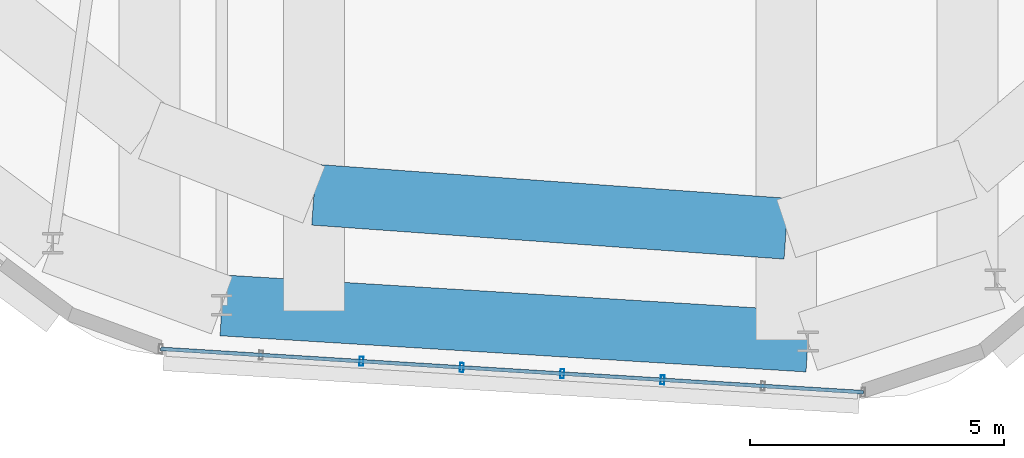
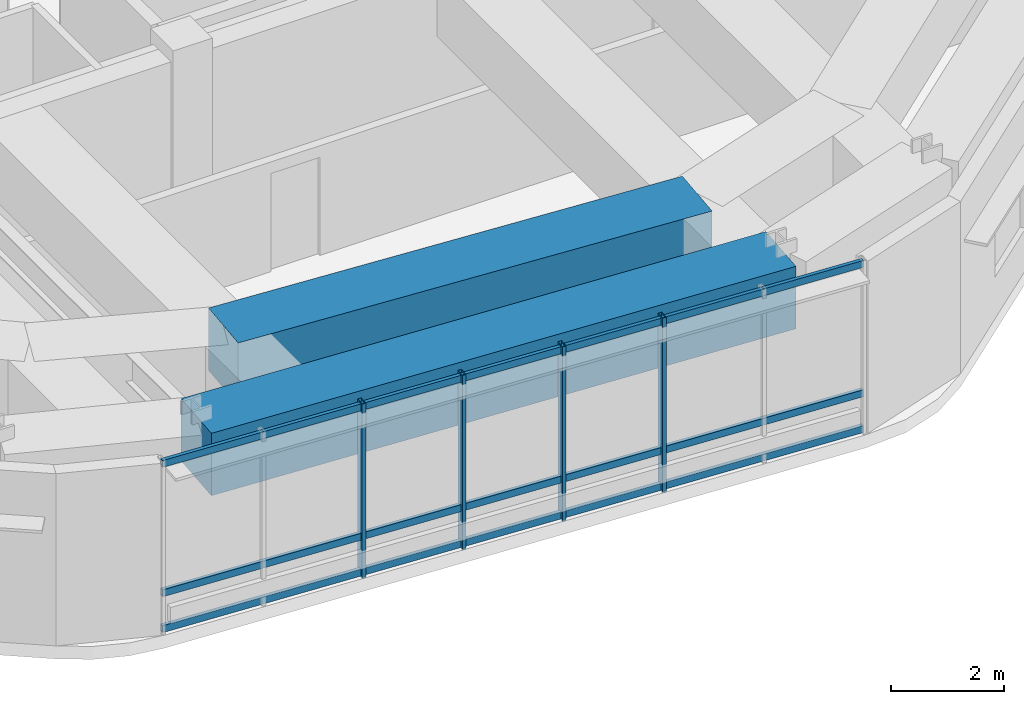
# One storey, part 4 of 17: 7 members, 2 beams, 1 element without a shape of its own.
"""IFC4 building model written with IfcOpenShell, lengths in metres."""

from ifc_helpers import new_model, si_unit, direction, frame, origin, origin_2d, place, context, subcontext, project, spatial, rectangle, hollow_rectangle, extrude, material, material_profile, profile_set, type_object, element, aggregate, save


model = new_model("IFC4")

# Units and contexts
model_context = context("Model", 3, precision=1e-05, world=origin(), true_north=direction((0.0, 1.0)))
body_context = subcontext(model_context, "Body", "Model", "MODEL_VIEW")
ifc_project = project(units=[si_unit("LENGTHUNIT", "METRE"), si_unit("AREAUNIT", "SQUARE_METRE"), si_unit("VOLUMEUNIT", "CUBIC_METRE"), si_unit("PLANEANGLEUNIT", "RADIAN"), si_unit("MASSUNIT", "GRAM", prefix="KILO")], contexts=[model_context])

# Site, building, storey
site_placement = place(None, origin())
site = spatial("IfcSite", under=ifc_project, at=site_placement, CompositionType="ELEMENT")
building_placement = place(site_placement, origin())
building = spatial("IfcBuilding", under=site, at=building_placement, Name="Zulverin Broadcast Headquarters", CompositionType="ELEMENT")
storey_placement = place(building_placement, frame((0.0, 0.0, 317.39990234375)))
storey = spatial("IfcBuildingStorey", under=building, at=storey_placement, Name="C2", CompositionType="ELEMENT", Elevation=317.39990234375)

# Beams
ifc_material_1 = material(Name="Concrete C50/60", Category="concrete")
ifc_material_profile_1 = material_profile(ifc_material_1, rectangle(XDim=1.199951171875, YDim=1.35009765625, at=origin_2d()), Name="Concrete C50/60", Category="concrete")
ifc_profile_set_1 = profile_set([ifc_material_profile_1], Name="Concrete C50/60")
beam_type = type_object("IfcBeamType", Name="BM-TG-CRN-1350", PredefinedType="USERDEFINED", material=ifc_profile_set_1)
beam_1_placement = place(storey_placement, frame((32.971923828125, 7.314697265625, 3.045166015625), z_axis=(0.998102057363, -0.06158151579, 0.0), x_axis=(0.06158151579, 0.998102057363, 0.0)))
element("IfcBeam", 1, at=beam_1_placement, inside=storey, type_object=beam_type, Name="C2 Perimeter Transfer Ring Girder SP-01", ObjectType="TRANSFER GIRDER", PredefinedType="USERDEFINED", context=body_context, shape_type="SweptSolid", body=[
    extrude(rectangle(XDim=1.199951171875, YDim=1.35009765625, at=origin_2d()), origin(), (0.0, 0.0, 1.0), 11.560546875),
])
beam_2_placement = place(storey_placement, frame((34.783447265625, 9.493408203125, 3.045166015625), z_axis=(0.997419339548, -0.071795968525, 0.0), x_axis=(0.071795968525, 0.997419339548, 0.0)))
element("IfcBeam", 2, at=beam_2_placement, inside=storey, type_object=beam_type, Name="C3 Step Transfer Ring Girder TGR-01", ObjectType="TRANSFER GIRDER", PredefinedType="USERDEFINED", context=body_context, shape_type="SweptSolid", body=[
    extrude(rectangle(XDim=1.199951171875, YDim=1.35009765625, at=origin_2d()), origin(), (0.0, 0.0, 1.0), 9.32421875),
])

# Curtain wall, members
ifc_material_2 = material(Name="Crown damper-hall structural glass curtain wall", Category="glass")
curtain_wall_type = type_object("IfcCurtainWallType", Name="CW-CRN", PredefinedType="USERDEFINED", material=ifc_material_2)
curtain_wall_placement = place(storey_placement, origin())
curtain_wall = element("IfcCurtainWall", 3, at=curtain_wall_placement, inside=storey, type_object=curtain_wall_type, Name="C2 Unitised Curtain Wall CW-C2-E1", ObjectType="UNITISED CURTAIN WALL", PredefinedType="USERDEFINED")
ifc_material_3 = material(Name="Anodized pale-metal aluminium alloy 6063-T6", Category="aluminium")
ifc_material_profile_2 = material_profile(ifc_material_3, hollow_rectangle(XDim=0.074951171875, YDim=0.179931640625, WallThickness=0.0048828125, at=origin_2d()), Name="Anodized pale-metal aluminium alloy 6063-T6", Category="aluminium")
ifc_profile_set_2 = profile_set([ifc_material_profile_2], Name="Anodized pale-metal aluminium alloy 6063-T6")
member_type_1 = type_object("IfcMemberType", Name="CW-MUL-180", PredefinedType="MULLION", material=ifc_profile_set_2)
member_1_placement = place(storey_placement, frame((35.719482421875, 6.21337890625, -0.02978515625), z_axis=(0.0, 0.0, 1.0), x_axis=(0.998102696661, -0.061571153301, 0.0)))
member_1 = element("IfcMember", 4, at=member_1_placement, type_object=member_type_1, Name="CW-C2-E1 Mullion 02", PredefinedType="MULLION", context=body_context, shape_type="SweptSolid", body=[
    extrude(hollow_rectangle(XDim=0.074951171875, YDim=0.179931640625, WallThickness=0.0048828125, at=origin_2d()), origin(), (0.0, 0.0, 1.0), 3.77978515625),
])
member_2_placement = place(storey_placement, frame((37.69580078125, 6.09130859375, -0.02978515625), z_axis=(0.0, 0.0, 1.0), x_axis=(0.998102696661, -0.061571153301, 0.0)))
member_2 = element("IfcMember", 5, at=member_2_placement, type_object=member_type_1, Name="CW-C2-E1 Mullion 03", PredefinedType="MULLION", context=body_context, shape_type="SweptSolid", body=[
    extrude(hollow_rectangle(XDim=0.074951171875, YDim=0.179931640625, WallThickness=0.0048828125, at=origin_2d()), origin(), (0.0, 0.0, 1.0), 3.77978515625),
])
member_3_placement = place(storey_placement, frame((39.672119140625, 5.969482421875, -0.02978515625), z_axis=(0.0, 0.0, 1.0), x_axis=(0.998102696661, -0.061571153301, 0.0)))
member_3 = element("IfcMember", 6, at=member_3_placement, type_object=member_type_1, Name="CW-C2-E1 Mullion 04", PredefinedType="MULLION", context=body_context, shape_type="SweptSolid", body=[
    extrude(hollow_rectangle(XDim=0.074951171875, YDim=0.179931640625, WallThickness=0.0048828125, at=origin_2d()), origin(), (0.0, 0.0, 1.0), 3.77978515625),
])
member_4_placement = place(storey_placement, frame((41.6484375, 5.84765625, -0.02978515625), z_axis=(0.0, 0.0, 1.0), x_axis=(0.998102696661, -0.061571153301, 0.0)))
member_4 = element("IfcMember", 7, at=member_4_placement, type_object=member_type_1, Name="CW-C2-E1 Mullion 05", PredefinedType="MULLION", context=body_context, shape_type="SweptSolid", body=[
    extrude(hollow_rectangle(XDim=0.074951171875, YDim=0.179931640625, WallThickness=0.0048828125, at=origin_2d()), origin(), (0.0, 0.0, 1.0), 3.77978515625),
])
ifc_material_profile_3 = material_profile(ifc_material_3, hollow_rectangle(XDim=0.074951171875, YDim=0.14990234375, WallThickness=0.0048828125, at=origin_2d()), Name="Anodized pale-metal aluminium alloy 6063-T6", Category="aluminium")
ifc_profile_set_3 = profile_set([ifc_material_profile_3], Name="Anodized pale-metal aluminium alloy 6063-T6")
member_type_2 = type_object("IfcMemberType", Name="CW-TRN-150", PredefinedType="USERDEFINED", material=ifc_profile_set_3)
member_5_placement = place(storey_placement, frame((31.766845703125, 6.457275390625, 0.0751953125), z_axis=(0.998102222017, -0.061578847051, 0.0), x_axis=(0.061578847051, 0.998102222017, 0.0)))
member_5 = element("IfcMember", 8, at=member_5_placement, type_object=member_type_2, Name="CW-C2-E1 Transom 0", ObjectType="TRANSOM", PredefinedType="USERDEFINED", context=body_context, shape_type="SweptSolid", body=[
    extrude(hollow_rectangle(XDim=0.074951171875, YDim=0.14990234375, WallThickness=0.0048828125, at=origin_2d()), origin(), (0.0, 0.0, 1.0), 13.860595703125),
])
member_6_placement = place(storey_placement, frame((31.766845703125, 6.457275390625, 0.85009765625), z_axis=(0.998102222017, -0.061578847051, 0.0), x_axis=(0.061578847051, 0.998102222017, 0.0)))
member_6 = element("IfcMember", 9, at=member_6_placement, type_object=member_type_2, Name="CW-C2-E1 Transom 1", ObjectType="TRANSOM", PredefinedType="USERDEFINED", context=body_context, shape_type="SweptSolid", body=[
    extrude(hollow_rectangle(XDim=0.074951171875, YDim=0.14990234375, WallThickness=0.0048828125, at=origin_2d()), origin(), (0.0, 0.0, 1.0), 13.860595703125),
])
member_7_placement = place(storey_placement, frame((31.766845703125, 6.457275390625, 3.64501953125), z_axis=(0.998102222017, -0.061578847051, 0.0), x_axis=(0.061578847051, 0.998102222017, 0.0)))
member_7 = element("IfcMember", 10, at=member_7_placement, type_object=member_type_2, Name="CW-C2-E1 Transom 2", ObjectType="TRANSOM", PredefinedType="USERDEFINED", context=body_context, shape_type="SweptSolid", body=[
    extrude(hollow_rectangle(XDim=0.074951171875, YDim=0.14990234375, WallThickness=0.0048828125, at=origin_2d()), origin(), (0.0, 0.0, 1.0), 13.860595703125),
])
aggregate(curtain_wall, [member_1, member_2, member_3, member_4, member_5, member_6, member_7])

save(model, "model.ifc")
